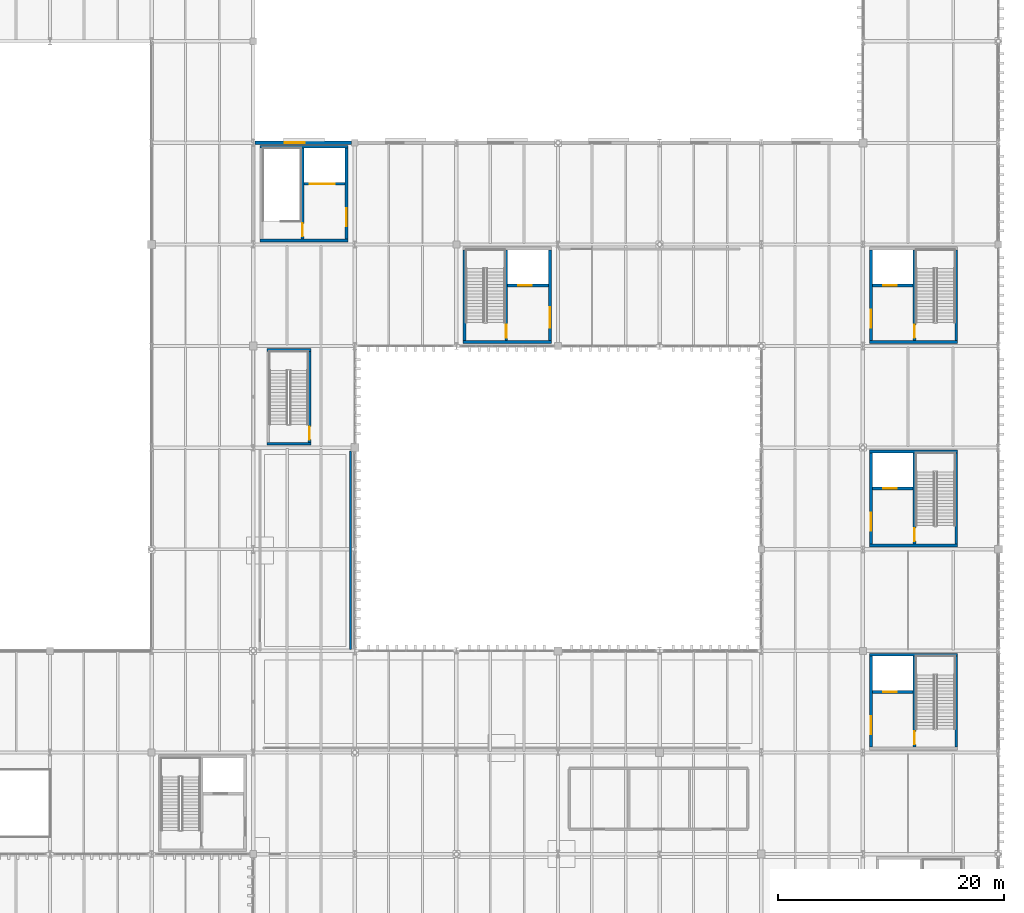
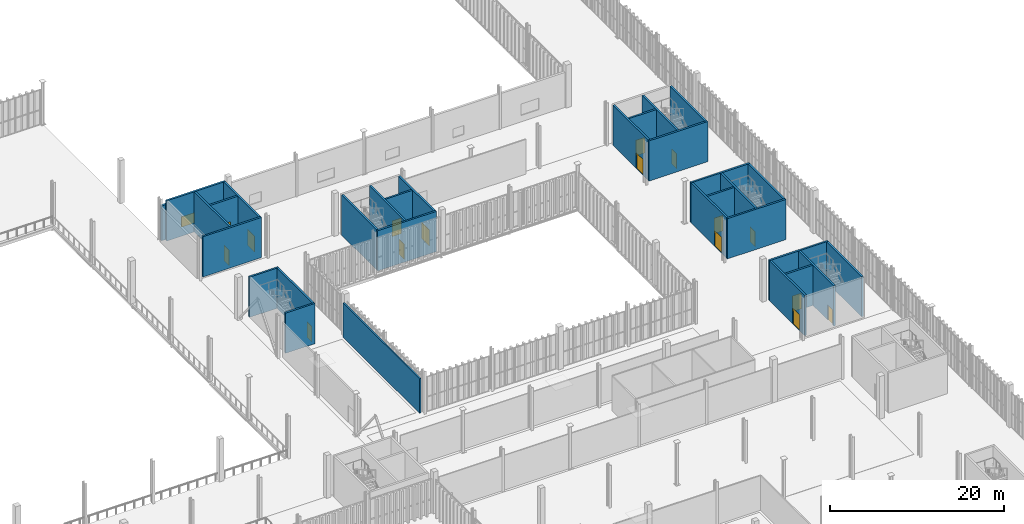
# One storey, part 181 of 211: 31 walls, 16 doors, 1 window, 17 openings.
"""IFC4 building model written with IfcOpenShell, lengths in metres."""

import ifcopenshell
import ifcopenshell.guid

model = None  # the IFC model being written
_history = None  # IfcOwnerHistory: only IFC2X3 demands one
_inside = {}  # id of a spatial element -> (the spatial element, [elements in it])
_under = {}  # id of a project, library or spatial element -> (it, [spatial elements below it])
_declared = {}  # id of a project -> (the project, [libraries it declares])
_typed = {}  # id of a type object -> (the type object, [elements of that type])
_made_of = {}  # id of a material, layer set ... -> (it, [elements and type objects made of it])


def new_model(schema):
    """Start an empty IFC model of exactly this schema.

    Asked for "IFC4X3", IfcOpenShell would pick the latest addendum, in which some entities
    have other attributes; the version numbers below select the first issue.
    IFC2X3 requires an IfcOwnerHistory on every rooted entity: one is made here for all.
    """
    global model, _history
    if schema == "IFC4X3":
        model = ifcopenshell.file(schema_version=(4, 3, 0, 0))
    else:
        model = ifcopenshell.file(schema=schema)
    _inside.clear()
    _under.clear()
    _declared.clear()
    _typed.clear()
    _made_of.clear()
    _history = None
    if model.schema == "IFC2X3":
        org = make("IfcOrganization", Name="unknown")
        user = make(
            "IfcPersonAndOrganization",
            ThePerson=make("IfcPerson", FamilyName="unknown"),
            TheOrganization=org,
        )
        app = make(
            "IfcApplication",
            ApplicationDeveloper=org,
            Version="unknown",
            ApplicationFullName="unknown",
            ApplicationIdentifier="unknown",
        )
        _history = make(
            "IfcOwnerHistory",
            OwningUser=user,
            OwningApplication=app,
            ChangeAction="ADDED",
            CreationDate=0,
        )
    return model


def make(cls, **values):
    """One entity of the class cls with the attributes given. An attribute that is None is left unset."""
    return model.create_entity(
        cls, **{name: value for name, value in values.items() if value is not None}
    )


def rooted(cls, **values):
    """An entity with a GlobalId (a new one), such as an element, a storey or a relation."""
    return make(cls, GlobalId=ifcopenshell.guid.new(), OwnerHistory=_history, **values)


def si_unit(unit_type, name, prefix=None):
    """IfcSIUnit, for example si_unit("LENGTHUNIT", "METRE", prefix="MILLI")."""
    return make("IfcSIUnit", UnitType=unit_type, Prefix=prefix, Name=name)


def assignment(units):
    """IfcUnitAssignment: the units of a project."""
    return None if units is None else make("IfcUnitAssignment", Units=units)


def point(xyz):
    """IfcCartesianPoint."""
    return None if xyz is None else make("IfcCartesianPoint", Coordinates=xyz)


def direction(xyz):
    """IfcDirection."""
    return None if xyz is None else make("IfcDirection", DirectionRatios=xyz)


def frame(location, z_axis=None, x_axis=None):
    """IfcAxis2Placement3D, a coordinate frame: its origin and axes. An axis left out is left unset."""
    return make(
        "IfcAxis2Placement3D",
        Location=point(location),
        Axis=direction(z_axis),
        RefDirection=direction(x_axis),
    )


def frame_2d(location, x_axis=None):
    """IfcAxis2Placement2D, a coordinate frame in the plane: its origin and x axis."""
    return make(
        "IfcAxis2Placement2D", Location=point(location), RefDirection=direction(x_axis)
    )


def origin():
    """The frame at (0, 0, 0) with its axes left unset."""
    return frame((0.0, 0.0, 0.0))


def place(relative_to, where):
    """IfcLocalPlacement: puts the frame where relative to a parent placement (None: the world)."""
    return make(
        "IfcLocalPlacement", PlacementRelTo=relative_to, RelativePlacement=where
    )


def context(
    kind, dimensions, precision=None, world=None, true_north=None, identifier=None
):
    """IfcGeometricRepresentationContext, for example the 3D "Model" context."""
    return make(
        "IfcGeometricRepresentationContext",
        ContextIdentifier=identifier,
        ContextType=kind,
        CoordinateSpaceDimension=dimensions,
        Precision=precision,
        WorldCoordinateSystem=world,
        TrueNorth=true_north,
    )


def subcontext(parent, identifier, kind, view, scale=None):
    """IfcGeometricRepresentationSubContext, for example "Body" below "Model"."""
    return make(
        "IfcGeometricRepresentationSubContext",
        ContextIdentifier=identifier,
        ContextType=kind,
        ParentContext=parent,
        TargetScale=scale,
        TargetView=view,
    )


def project(units=None, contexts=None):
    """IfcProject with its units and contexts."""
    return rooted(
        "IfcProject",
        Name="project",
        RepresentationContexts=contexts,
        UnitsInContext=assignment(units),
    )


def spatial(cls, under=None, at=None, **own):
    """A site, building, storey or space (cls), placed at a placement, below another one or the project."""
    s = rooted(cls, ObjectPlacement=at, **own)
    if under is not None:
        _under.setdefault(under.id(), (under, []))[1].append(s)
    return s


def profile(cls, at=None, kind="AREA", **sizes):
    """A parametric profile (cls). Its sizes go by their IFC names, for example OverallWidth=200.0."""
    return make(cls, ProfileType=kind, Position=at, **sizes)


def rectangle(**sizes):
    """IfcRectangleProfileDef."""
    return profile("IfcRectangleProfileDef", **sizes)


def extrude(swept, where, along, depth):
    """IfcExtrudedAreaSolid: the profile swept, set in the frame where, extruded along a direction by depth."""
    return make(
        "IfcExtrudedAreaSolid",
        SweptArea=swept,
        Position=where,
        ExtrudedDirection=direction(along),
        Depth=depth,
    )


def shape(context_of_items, identifier, shape_type, items):
    """IfcShapeRepresentation: the items that make up one representation, for example the "Body"."""
    return make(
        "IfcShapeRepresentation",
        ContextOfItems=context_of_items,
        RepresentationIdentifier=identifier,
        RepresentationType=shape_type,
        Items=items,
    )


def material(Name=None, Category=None):
    """IfcMaterial."""
    return make("IfcMaterial", Name=Name, Category=Category)


def layer(
    of_material, thickness, ventilated=None, Name=None, Category=None, Priority=None
):
    """IfcMaterialLayer: one layer of a wall or slab, of a material (None: an air gap)."""
    return make(
        "IfcMaterialLayer",
        Material=of_material,
        LayerThickness=thickness,
        IsVentilated=ventilated,
        Name=Name,
        Category=Category,
        Priority=Priority,
    )


def layer_set(layers, Name=None):
    """IfcMaterialLayerSet."""
    return make("IfcMaterialLayerSet", MaterialLayers=layers, LayerSetName=Name)


def made_of(thing, what):
    """Note that an element or type object is made of a material, layer set ...; save() writes the relation."""
    if what is not None:
        _made_of.setdefault(what.id(), (what, []))[1].append(thing)
    return thing


def type_object(cls, material=None, **own):
    """A type object (cls), such as IfcWallType, which elements share."""
    return made_of(rooted(cls, **own), material)


def element(
    cls,
    number,
    at=None,
    inside=None,
    cuts=None,
    type_object=None,
    material=None,
    context=None,
    identifier="Body",
    shape_type=None,
    held_by="IfcProductDefinitionShape",
    body=None,
    shapes=None,
    **own,
):
    """One element of the class cls, such as IfcWall. Its Tag is "e" and its number.

    at: its placement. inside: the storey or other place that contains it. cuts: it is an
    opening in that element (IfcRelVoidsElement). A single representation is given by context,
    identifier, shape_type and body (its items); several are given by shapes. held_by: the class
    of the entity that holds the representations. save() writes the other relations.
    """
    e = rooted(cls, Tag="e%d" % number, ObjectPlacement=at, **own)
    if body is not None:
        shapes = [shape(context, identifier, shape_type, body)]
    if shapes is not None:
        e.Representation = make(held_by, Representations=shapes)
    if inside is not None:
        _inside.setdefault(inside.id(), (inside, []))[1].append(e)
    if cuts is not None:
        rooted(
            "IfcRelVoidsElement", RelatingBuildingElement=cuts, RelatedOpeningElement=e
        )
    if type_object is not None:
        _typed.setdefault(type_object.id(), (type_object, []))[1].append(e)
    return made_of(e, material)


def fill(opening, filler):
    """IfcRelFillsElement: the door or window that sits in an opening."""
    return rooted(
        "IfcRelFillsElement",
        RelatingOpeningElement=opening,
        RelatedBuildingElement=filler,
    )


def aggregate(whole, parts):
    """IfcRelAggregates: a whole, such as a stair, and the parts it consists of."""
    return rooted("IfcRelAggregates", RelatingObject=whole, RelatedObjects=parts)


def save(model, path):
    """Write the relations noted so far, then the file.

    IfcRelAggregates (storeys below a building ...), IfcRelContainedInSpatialStructure (elements
    in a storey), IfcRelDefinesByType, IfcRelAssociatesMaterial and IfcRelDeclares: one each for
    every whole, place, type object, material and project.
    """
    for whole, parts in _under.values():
        aggregate(whole, parts)
    for where, things in _inside.values():
        rooted(
            "IfcRelContainedInSpatialStructure",
            RelatedElements=things,
            RelatingStructure=where,
        )
    for kind, things in _typed.values():
        rooted("IfcRelDefinesByType", RelatedObjects=things, RelatingType=kind)
    for what, things in _made_of.values():
        rooted("IfcRelAssociatesMaterial", RelatedObjects=things, RelatingMaterial=what)
    for by, libraries in _declared.values():
        rooted("IfcRelDeclares", RelatingContext=by, RelatedDefinitions=libraries)
    model.write(path)


model = new_model("IFC4")

# Units and contexts
model_context = context("Model", 3, precision=1e-05, world=origin(), true_north=direction((0.0, 1.0)))
body_context = subcontext(model_context, "Body", "Model", "MODEL_VIEW")
ifc_project = project(units=[si_unit("LENGTHUNIT", "METRE"), si_unit("AREAUNIT", "SQUARE_METRE"), si_unit("VOLUMEUNIT", "CUBIC_METRE"), si_unit("PLANEANGLEUNIT", "RADIAN"), si_unit("MASSUNIT", "GRAM", prefix="KILO")], contexts=[model_context])

# Site, building, storey
site_placement = place(None, origin())
site = spatial("IfcSite", under=ifc_project, at=site_placement, CompositionType="ELEMENT")
building_placement = place(site_placement, origin())
building = spatial("IfcBuilding", under=site, at=building_placement, Name="Barlavento Convention Centre", CompositionType="ELEMENT")
storey_placement = place(building_placement, frame((0.0, 0.0, 6.0)))
storey = spatial("IfcBuildingStorey", under=building, at=storey_placement, Name="L01", CompositionType="ELEMENT", Elevation=6.0)

# Wall
ifc_material_1 = material(Name="Acoustic double stud and gypsum board")
ifc_layer_1 = layer(ifc_material_1, 0.18505859375)
ifc_layer_set_1 = layer_set([ifc_layer_1], Name="ARC-WL-ACOU-185")
wall_type_1 = type_object("IfcWallType", Name="ARC-WL-ACOU-185", PredefinedType="PARTITIONING", material=ifc_layer_set_1)
wall_1_placement = place(storey_placement, frame((134.60009765625, 63.111083984375, 0.0), z_axis=(0.0, 0.0, 1.0), x_axis=(0.0, 1.0, 0.0)))
element("IfcWall", 1, at=wall_1_placement, inside=storey, type_object=wall_type_1, Name="L01 interior wall PT-01", PredefinedType="PARTITIONING", context=body_context, shape_type="SweptSolid", body=[
    extrude(rectangle(XDim=17.577880859375, YDim=0.18505859375, at=frame_2d((8.7890625, 0.0))), origin(), (0.0, 0.0, 1.0), 4.85009765625),
])

# Wall, opening, window
ifc_material_2 = material(Name="Glazed white architectural terracotta on Concrete C40/50", Category="masonry")
ifc_layer_2 = layer(ifc_material_2, 0.2900390625)
ifc_layer_set_2 = layer_set([ifc_layer_2], Name="ARC-WL-EXT-290")
wall_type_2 = type_object("IfcWallType", Name="ARC-WL-EXT-290", PredefinedType="SOLIDWALL", material=ifc_layer_set_2)
wall_2_placement = place(storey_placement, frame((126.14501953125, 108.0, 0.0), z_axis=(0.0, 0.0, 1.0), x_axis=(1.0, 0.0, 0.0)))
wall_2 = element("IfcWall", 2, at=wall_2_placement, inside=storey, type_object=wall_type_2, Name="L01 exterior wall EW02", PredefinedType="SOLIDWALL", context=body_context, shape_type="SweptSolid", body=[
    extrude(rectangle(XDim=8.56005859375, YDim=0.2900390625, at=frame_2d((4.280029296875, 0.0))), origin(), (0.0, 0.0, 1.0), 4.89990234375),
])
opening_1_placement = place(wall_2_placement, frame((2.655029296875, 0.0, 0.89990234375)))
opening_1 = element("IfcOpeningElement", 3, at=opening_1_placement, cuts=wall_2, Name="Opening WN21", PredefinedType="OPENING", context=body_context, shape_type="SweptSolid", body=[
    extrude(rectangle(XDim=1.75, YDim=1.449951171875, at=frame_2d((0.875, 0.72509765625))), frame((0.0, 0.155029296875, 0.0), z_axis=(0.0, -1.0, 0.0), x_axis=(1.0, 0.0, 0.0)), (0.0, 0.0, 1.0), 0.31005859375),
])
ifc_material_3 = material(Name="Double-silver Low-E insulated glass", Category="glass")
window_type = type_object("IfcWindowType", Name="ARC-WN-CONF-1750X1450", PartitioningType="SINGLE_PANEL", PredefinedType="WINDOW", material=ifc_material_3)
window_placement = place(opening_1_placement, origin())
window = element("IfcWindow", 4, at=window_placement, inside=storey, type_object=window_type, Name="L01 exterior Low-E window WN21", OverallHeight=1.449951171875, OverallWidth=1.75, PartitioningType="SINGLE_PANEL", PredefinedType="WINDOW", context=body_context, shape_type="SweptSolid", body=[
    extrude(rectangle(XDim=1.75, YDim=1.449951171875, at=frame_2d((0.875, 0.72509765625))), frame((0.0, 0.030029296875, 0.0), z_axis=(0.0, -1.0, 0.0), x_axis=(1.0, 0.0, 0.0)), (0.0, 0.0, 1.0), 0.06005859375),
])
fill(opening_1, window)

# Wall, opening, door
ifc_material_4 = material(Name="Concrete C50/60", Category="concrete")
ifc_layer_3 = layer(ifc_material_4, 0.25)
ifc_layer_set_3 = layer_set([ifc_layer_3], Name="STR-WL-CORE-250")
wall_type_3 = type_object("IfcWallType", Name="STR-WL-CORE-250", PredefinedType="SHEAR", material=ifc_layer_set_3)
wall_3_placement = place(storey_placement, frame((180.72509765625, 54.469970703125, 0.0), z_axis=(0.0, 0.0, 1.0), x_axis=(0.0, 1.0, 0.0)))
wall_3 = element("IfcWall", 5, at=wall_3_placement, inside=storey, type_object=wall_type_3, Name="L01 interior wall CW-02", PredefinedType="SHEAR", context=body_context, shape_type="SweptSolid", body=[
    extrude(rectangle(XDim=8.06005859375, YDim=0.25, at=frame_2d((4.030029296875, 0.0))), origin(), (0.0, 0.0, 1.0), 5.639892578125),
])
opening_2_placement = place(wall_3_placement, frame((1.14990234375, 0.0, 0.0)))
opening_2 = element("IfcOpeningElement", 6, at=opening_2_placement, cuts=wall_3, Name="Opening FD-02", PredefinedType="OPENING", context=body_context, shape_type="SweptSolid", body=[
    extrude(rectangle(XDim=1.60009765625, YDim=2.199951171875, at=frame_2d((0.800048828125, 1.10009765625))), frame((0.0, 0.135009765625, 0.0), z_axis=(0.0, -1.0, 0.0), x_axis=(1.0, 0.0, 0.0)), (0.0, 0.0, 1.0), 0.27001953125),
])
ifc_material_5 = material(Name="Painted galvanized steel", Category="steel")
door_type_1 = type_object("IfcDoorType", Name="ARC-DR-FIRE-1600X2200", OperationType="DOUBLE_DOOR_SINGLE_SWING", PredefinedType="DOOR", material=ifc_material_5)
door_1_placement = place(opening_2_placement, origin())
door_1 = element("IfcDoor", 7, at=door_1_placement, inside=storey, type_object=door_type_1, Name="DR-INT-L01-0063 L01 LP4 lobby fire door", OperationType="DOUBLE_DOOR_SINGLE_SWING", OverallHeight=2.199951171875, OverallWidth=1.60009765625, PredefinedType="DOOR", context=body_context, shape_type="SweptSolid", body=[
    extrude(rectangle(XDim=1.60009765625, YDim=2.199951171875, at=frame_2d((0.800048828125, 1.10009765625))), frame((0.0, 0.02490234375, 0.0), z_axis=(0.0, -1.0, 0.0), x_axis=(1.0, 0.0, 0.0)), (0.0, 0.0, 1.0), 0.050048828125),
])
fill(opening_2, door_1)

# Walls
wall_4_placement = place(storey_placement, frame((188.27490234375, 54.469970703125, 0.0), z_axis=(0.0, 0.0, 1.0), x_axis=(0.0, 1.0, 0.0)))
element("IfcWall", 8, at=wall_4_placement, inside=storey, type_object=wall_type_3, Name="L01 interior wall CW-02", PredefinedType="SHEAR", context=body_context, shape_type="SweptSolid", body=[
    extrude(rectangle(XDim=8.06005859375, YDim=0.25, at=frame_2d((4.030029296875, 0.0))), origin(), (0.0, 0.0, 1.0), 5.639892578125),
])
wall_5_placement = place(storey_placement, frame((180.60009765625, 62.655029296875, 0.0), z_axis=(0.0, 0.0, 1.0), x_axis=(1.0, 0.0, 0.0)))
element("IfcWall", 9, at=wall_5_placement, inside=storey, type_object=wall_type_3, Name="L01 interior wall CW-02", PredefinedType="SHEAR", context=body_context, shape_type="SweptSolid", body=[
    extrude(rectangle(XDim=7.7998046875, YDim=0.25, at=frame_2d((3.89990234375, 0.0))), origin(), (0.0, 0.0, 1.0), 5.639892578125),
])

# Wall, opening, door
wall_6_placement = place(storey_placement, frame((184.5849609375, 54.469970703125, 0.0), z_axis=(0.0, 0.0, 1.0), x_axis=(0.0, 1.0, 0.0)))
wall_6 = element("IfcWall", 10, at=wall_6_placement, inside=storey, type_object=wall_type_3, Name="L01 interior wall CW-02", PredefinedType="SHEAR", context=body_context, shape_type="SweptSolid", body=[
    extrude(rectangle(XDim=8.06005859375, YDim=0.25, at=frame_2d((4.030029296875, 0.0))), origin(), (0.0, 0.0, 1.0), 5.639892578125),
])
opening_3_placement = place(wall_6_placement, frame((0.25, 0.0, 0.0)))
opening_3 = element("IfcOpeningElement", 11, at=opening_3_placement, cuts=wall_6, Name="Opening FD-03", PredefinedType="OPENING", context=body_context, shape_type="SweptSolid", body=[
    extrude(rectangle(XDim=1.14990234375, YDim=2.14990234375, at=frame_2d((0.574951171875, 1.074951171875))), frame((0.0, 0.135009765625, 0.0), z_axis=(0.0, -1.0, 0.0), x_axis=(1.0, 0.0, 0.0)), (0.0, 0.0, 1.0), 0.27001953125),
])
door_type_2 = type_object("IfcDoorType", Name="ARC-DR-FIRE-1150X2150", OperationType="NOTDEFINED", PredefinedType="DOOR", material=ifc_material_5)
door_2_placement = place(opening_3_placement, origin())
door_2 = element("IfcDoor", 12, at=door_2_placement, inside=storey, type_object=door_type_2, Name="DR-INT-L01-0061 L01 ST05 stair fire door FD-03", OperationType="SINGLE_SWING_LEFT", OverallHeight=2.14990234375, OverallWidth=1.14990234375, PredefinedType="DOOR", context=body_context, shape_type="SweptSolid", body=[
    extrude(rectangle(XDim=1.14990234375, YDim=2.14990234375, at=frame_2d((0.574951171875, 1.074951171875))), frame((0.0, 0.02490234375, 0.0), z_axis=(0.0, -1.0, 0.0), x_axis=(1.0, 0.0, 0.0)), (0.0, 0.0, 1.0), 0.050048828125),
])
fill(opening_3, door_2)

wall_7_placement = place(storey_placement, frame((180.85009765625, 59.3701171875, 0.0), z_axis=(0.0, 0.0, 1.0), x_axis=(1.0, 0.0, 0.0)))
wall_7 = element("IfcWall", 13, at=wall_7_placement, inside=storey, type_object=wall_type_3, Name="L01 interior wall CW-02", PredefinedType="SHEAR", context=body_context, shape_type="SweptSolid", body=[
    extrude(rectangle(XDim=3.60986328125, YDim=0.25, at=frame_2d((1.804931640625, 0.0))), origin(), (0.0, 0.0, 1.0), 5.639892578125),
])
opening_4_placement = place(wall_7_placement, frame((0.949951171875, 0.0, 0.0)))
opening_4 = element("IfcOpeningElement", 14, at=opening_4_placement, cuts=wall_7, Name="Opening LD-01", PredefinedType="OPENING", context=body_context, shape_type="SweptSolid", body=[
    extrude(rectangle(XDim=1.199951171875, YDim=2.199951171875, at=frame_2d((0.60009765625, 1.10009765625))), frame((0.0, 0.135009765625, 0.0), z_axis=(0.0, -1.0, 0.0), x_axis=(1.0, 0.0, 0.0)), (0.0, 0.0, 1.0), 0.27001953125),
])
ifc_material_6 = material(Name="Brushed stainless steel", Category="steel")
door_type_3 = type_object("IfcDoorType", Name="ARC-DR-LIFT-1200X2200", OperationType="DOUBLE_DOOR_SLIDING", PredefinedType="DOOR", material=ifc_material_6)
door_3_placement = place(opening_4_placement, origin())
door_3 = element("IfcDoor", 15, at=door_3_placement, inside=storey, type_object=door_type_3, Name="DR-INT-L01-0062 LP4 lift sliding landing door", OperationType="DOUBLE_DOOR_SLIDING", OverallHeight=2.199951171875, OverallWidth=1.199951171875, PredefinedType="DOOR", context=body_context, shape_type="SweptSolid", body=[
    extrude(rectangle(XDim=1.199951171875, YDim=2.199951171875, at=frame_2d((0.60009765625, 1.10009765625))), frame((0.0, 0.02490234375, 0.0), z_axis=(0.0, -1.0, 0.0), x_axis=(1.0, 0.0, 0.0)), (0.0, 0.0, 1.0), 0.050048828125),
])
fill(opening_4, door_3)

wall_8_placement = place(storey_placement, frame((180.72509765625, 72.469970703125, 0.0), z_axis=(0.0, 0.0, 1.0), x_axis=(0.0, 1.0, 0.0)))
wall_8 = element("IfcWall", 16, at=wall_8_placement, inside=storey, type_object=wall_type_3, Name="L01 interior wall CW-02", PredefinedType="SHEAR", context=body_context, shape_type="SweptSolid", body=[
    extrude(rectangle(XDim=8.06005859375, YDim=0.25, at=frame_2d((4.030029296875, 0.0))), origin(), (0.0, 0.0, 1.0), 5.639892578125),
])
opening_5_placement = place(wall_8_placement, frame((1.14990234375, 0.0, 0.0)))
opening_5 = element("IfcOpeningElement", 17, at=opening_5_placement, cuts=wall_8, Name="Opening FD-02", PredefinedType="OPENING", context=body_context, shape_type="SweptSolid", body=[
    extrude(rectangle(XDim=1.60009765625, YDim=2.199951171875, at=frame_2d((0.800048828125, 1.10009765625))), frame((0.0, 0.135009765625, 0.0), z_axis=(0.0, -1.0, 0.0), x_axis=(1.0, 0.0, 0.0)), (0.0, 0.0, 1.0), 0.27001953125),
])
door_4_placement = place(opening_5_placement, origin())
door_4 = element("IfcDoor", 18, at=door_4_placement, inside=storey, type_object=door_type_1, Name="DR-INT-L01-0105 L01 LP5 lobby fire door", OperationType="DOUBLE_DOOR_SINGLE_SWING", OverallHeight=2.199951171875, OverallWidth=1.60009765625, PredefinedType="DOOR", context=body_context, shape_type="SweptSolid", body=[
    extrude(rectangle(XDim=1.60009765625, YDim=2.199951171875, at=frame_2d((0.800048828125, 1.10009765625))), frame((0.0, 0.02490234375, 0.0), z_axis=(0.0, -1.0, 0.0), x_axis=(1.0, 0.0, 0.0)), (0.0, 0.0, 1.0), 0.050048828125),
])
fill(opening_5, door_4)

# Walls
wall_9_placement = place(storey_placement, frame((188.27490234375, 72.469970703125, 0.0), z_axis=(0.0, 0.0, 1.0), x_axis=(0.0, 1.0, 0.0)))
element("IfcWall", 19, at=wall_9_placement, inside=storey, type_object=wall_type_3, Name="L01 interior wall CW-02", PredefinedType="SHEAR", context=body_context, shape_type="SweptSolid", body=[
    extrude(rectangle(XDim=8.06005859375, YDim=0.25, at=frame_2d((4.030029296875, 0.0))), origin(), (0.0, 0.0, 1.0), 5.639892578125),
])
for number, where, z_axis, x_axis, name in (
    (20, (180.60009765625, 72.344970703125, 0.0), (0.0, 0.0, 1.0), (1.0, 0.0, 0.0), "L01 interior wall CW-02"),
    (21, (180.60009765625, 80.655029296875, 0.0), (0.0, 0.0, 1.0), (1.0, 0.0, 0.0), "L01 interior wall CW-02"),
):
    element("IfcWall", number, at=place(storey_placement, frame(where, z_axis=z_axis, x_axis=x_axis)), inside=storey, type_object=wall_type_3, Name=name, PredefinedType="SHEAR", context=body_context, shape_type="SweptSolid", body=[
        extrude(rectangle(XDim=7.7998046875, YDim=0.25, at=frame_2d((3.89990234375, 0.0))), origin(), (0.0, 0.0, 1.0), 5.639892578125),
    ])

# Wall, opening, door
wall_10_placement = place(storey_placement, frame((184.5849609375, 72.469970703125, 0.0), z_axis=(0.0, 0.0, 1.0), x_axis=(0.0, 1.0, 0.0)))
wall_10 = element("IfcWall", 22, at=wall_10_placement, inside=storey, type_object=wall_type_3, Name="L01 interior wall CW-02", PredefinedType="SHEAR", context=body_context, shape_type="SweptSolid", body=[
    extrude(rectangle(XDim=8.06005859375, YDim=0.25, at=frame_2d((4.030029296875, 0.0))), origin(), (0.0, 0.0, 1.0), 5.639892578125),
])
opening_6_placement = place(wall_10_placement, frame((0.25, 0.0, 0.0)))
opening_6 = element("IfcOpeningElement", 23, at=opening_6_placement, cuts=wall_10, Name="Opening FD-03", PredefinedType="OPENING", context=body_context, shape_type="SweptSolid", body=[
    extrude(rectangle(XDim=1.14990234375, YDim=2.14990234375, at=frame_2d((0.574951171875, 1.074951171875))), frame((0.0, 0.135009765625, 0.0), z_axis=(0.0, -1.0, 0.0), x_axis=(1.0, 0.0, 0.0)), (0.0, 0.0, 1.0), 0.27001953125),
])
door_5_placement = place(opening_6_placement, origin())
door_5 = element("IfcDoor", 24, at=door_5_placement, inside=storey, type_object=door_type_2, Name="DR-INT-L01-0103 L01 ST07 stair fire door FD-03", OperationType="SINGLE_SWING_LEFT", OverallHeight=2.14990234375, OverallWidth=1.14990234375, PredefinedType="DOOR", context=body_context, shape_type="SweptSolid", body=[
    extrude(rectangle(XDim=1.14990234375, YDim=2.14990234375, at=frame_2d((0.574951171875, 1.074951171875))), frame((0.0, 0.02490234375, 0.0), z_axis=(0.0, -1.0, 0.0), x_axis=(1.0, 0.0, 0.0)), (0.0, 0.0, 1.0), 0.050048828125),
])
fill(opening_6, door_5)

wall_11_placement = place(storey_placement, frame((180.85009765625, 77.3701171875, 0.0), z_axis=(0.0, 0.0, 1.0), x_axis=(1.0, 0.0, 0.0)))
wall_11 = element("IfcWall", 25, at=wall_11_placement, inside=storey, type_object=wall_type_3, Name="L01 interior wall CW-02", PredefinedType="SHEAR", context=body_context, shape_type="SweptSolid", body=[
    extrude(rectangle(XDim=3.60986328125, YDim=0.25, at=frame_2d((1.804931640625, 0.0))), origin(), (0.0, 0.0, 1.0), 5.639892578125),
])
opening_7_placement = place(wall_11_placement, frame((0.949951171875, 0.0, 0.0)))
opening_7 = element("IfcOpeningElement", 26, at=opening_7_placement, cuts=wall_11, Name="Opening LD-01", PredefinedType="OPENING", context=body_context, shape_type="SweptSolid", body=[
    extrude(rectangle(XDim=1.199951171875, YDim=2.199951171875, at=frame_2d((0.60009765625, 1.10009765625))), frame((0.0, 0.135009765625, 0.0), z_axis=(0.0, -1.0, 0.0), x_axis=(1.0, 0.0, 0.0)), (0.0, 0.0, 1.0), 0.27001953125),
])
door_6_placement = place(opening_7_placement, origin())
door_6 = element("IfcDoor", 27, at=door_6_placement, inside=storey, type_object=door_type_3, Name="DR-INT-L01-0104 LP5 lift sliding landing door", OperationType="DOUBLE_DOOR_SLIDING", OverallHeight=2.199951171875, OverallWidth=1.199951171875, PredefinedType="DOOR", context=body_context, shape_type="SweptSolid", body=[
    extrude(rectangle(XDim=1.199951171875, YDim=2.199951171875, at=frame_2d((0.60009765625, 1.10009765625))), frame((0.0, 0.02490234375, 0.0), z_axis=(0.0, -1.0, 0.0), x_axis=(1.0, 0.0, 0.0)), (0.0, 0.0, 1.0), 0.050048828125),
])
fill(opening_7, door_6)

wall_12_placement = place(storey_placement, frame((180.72509765625, 90.469970703125, 0.0), z_axis=(0.0, 0.0, 1.0), x_axis=(0.0, 1.0, 0.0)))
wall_12 = element("IfcWall", 28, at=wall_12_placement, inside=storey, type_object=wall_type_3, Name="L01 interior wall CW-02", PredefinedType="SHEAR", context=body_context, shape_type="SweptSolid", body=[
    extrude(rectangle(XDim=8.06005859375, YDim=0.25, at=frame_2d((4.030029296875, 0.0))), origin(), (0.0, 0.0, 1.0), 5.639892578125),
])
opening_8_placement = place(wall_12_placement, frame((1.14990234375, 0.0, 0.0)))
opening_8 = element("IfcOpeningElement", 29, at=opening_8_placement, cuts=wall_12, Name="Opening FD-02", PredefinedType="OPENING", context=body_context, shape_type="SweptSolid", body=[
    extrude(rectangle(XDim=1.60009765625, YDim=2.199951171875, at=frame_2d((0.800048828125, 1.10009765625))), frame((0.0, 0.135009765625, 0.0), z_axis=(0.0, -1.0, 0.0), x_axis=(1.0, 0.0, 0.0)), (0.0, 0.0, 1.0), 0.27001953125),
])
door_7_placement = place(opening_8_placement, origin())
door_7 = element("IfcDoor", 30, at=door_7_placement, inside=storey, type_object=door_type_1, Name="DR-INT-L01-0126 L01 LP6 lobby fire door", OperationType="DOUBLE_DOOR_SINGLE_SWING", OverallHeight=2.199951171875, OverallWidth=1.60009765625, PredefinedType="DOOR", context=body_context, shape_type="SweptSolid", body=[
    extrude(rectangle(XDim=1.60009765625, YDim=2.199951171875, at=frame_2d((0.800048828125, 1.10009765625))), frame((0.0, 0.02490234375, 0.0), z_axis=(0.0, -1.0, 0.0), x_axis=(1.0, 0.0, 0.0)), (0.0, 0.0, 1.0), 0.050048828125),
])
fill(opening_8, door_7)

# Walls
wall_13_placement = place(storey_placement, frame((188.27490234375, 90.469970703125, 0.0), z_axis=(0.0, 0.0, 1.0), x_axis=(0.0, 1.0, 0.0)))
element("IfcWall", 31, at=wall_13_placement, inside=storey, type_object=wall_type_3, Name="L01 interior wall CW-02", PredefinedType="SHEAR", context=body_context, shape_type="SweptSolid", body=[
    extrude(rectangle(XDim=8.06005859375, YDim=0.25, at=frame_2d((4.030029296875, 0.0))), origin(), (0.0, 0.0, 1.0), 5.639892578125),
])
wall_14_placement = place(storey_placement, frame((180.60009765625, 90.344970703125, 0.0), z_axis=(0.0, 0.0, 1.0), x_axis=(1.0, 0.0, 0.0)))
element("IfcWall", 32, at=wall_14_placement, inside=storey, type_object=wall_type_3, Name="L01 interior wall CW-02", PredefinedType="SHEAR", context=body_context, shape_type="SweptSolid", body=[
    extrude(rectangle(XDim=7.7998046875, YDim=0.25, at=frame_2d((3.89990234375, 0.0))), origin(), (0.0, 0.0, 1.0), 5.639892578125),
])

# Wall, opening, door
wall_15_placement = place(storey_placement, frame((184.5849609375, 90.469970703125, 0.0), z_axis=(0.0, 0.0, 1.0), x_axis=(0.0, 1.0, 0.0)))
wall_15 = element("IfcWall", 33, at=wall_15_placement, inside=storey, type_object=wall_type_3, Name="L01 interior wall CW-02", PredefinedType="SHEAR", context=body_context, shape_type="SweptSolid", body=[
    extrude(rectangle(XDim=8.06005859375, YDim=0.25, at=frame_2d((4.030029296875, 0.0))), origin(), (0.0, 0.0, 1.0), 5.639892578125),
])
opening_9_placement = place(wall_15_placement, frame((0.25, 0.0, 0.0)))
opening_9 = element("IfcOpeningElement", 34, at=opening_9_placement, cuts=wall_15, Name="Opening FD-03", PredefinedType="OPENING", context=body_context, shape_type="SweptSolid", body=[
    extrude(rectangle(XDim=1.14990234375, YDim=2.14990234375, at=frame_2d((0.574951171875, 1.074951171875))), frame((0.0, 0.135009765625, 0.0), z_axis=(0.0, -1.0, 0.0), x_axis=(1.0, 0.0, 0.0)), (0.0, 0.0, 1.0), 0.27001953125),
])
door_8_placement = place(opening_9_placement, origin())
door_8 = element("IfcDoor", 35, at=door_8_placement, inside=storey, type_object=door_type_2, Name="DR-INT-L01-0124 L01 ST08 stair fire door FD-03", OperationType="SINGLE_SWING_RIGHT", OverallHeight=2.14990234375, OverallWidth=1.14990234375, PredefinedType="DOOR", context=body_context, shape_type="SweptSolid", body=[
    extrude(rectangle(XDim=1.14990234375, YDim=2.14990234375, at=frame_2d((0.574951171875, 1.074951171875))), frame((0.0, 0.02490234375, 0.0), z_axis=(0.0, -1.0, 0.0), x_axis=(1.0, 0.0, 0.0)), (0.0, 0.0, 1.0), 0.050048828125),
])
fill(opening_9, door_8)

wall_16_placement = place(storey_placement, frame((180.85009765625, 95.3701171875, 0.0), z_axis=(0.0, 0.0, 1.0), x_axis=(1.0, 0.0, 0.0)))
wall_16 = element("IfcWall", 36, at=wall_16_placement, inside=storey, type_object=wall_type_3, Name="L01 interior wall CW-02", PredefinedType="SHEAR", context=body_context, shape_type="SweptSolid", body=[
    extrude(rectangle(XDim=3.60986328125, YDim=0.25, at=frame_2d((1.804931640625, 0.0))), origin(), (0.0, 0.0, 1.0), 5.639892578125),
])
opening_10_placement = place(wall_16_placement, frame((0.949951171875, 0.0, 0.0)))
opening_10 = element("IfcOpeningElement", 37, at=opening_10_placement, cuts=wall_16, Name="Opening LD-01", PredefinedType="OPENING", context=body_context, shape_type="SweptSolid", body=[
    extrude(rectangle(XDim=1.199951171875, YDim=2.199951171875, at=frame_2d((0.60009765625, 1.10009765625))), frame((0.0, 0.135009765625, 0.0), z_axis=(0.0, -1.0, 0.0), x_axis=(1.0, 0.0, 0.0)), (0.0, 0.0, 1.0), 0.27001953125),
])
door_9_placement = place(opening_10_placement, origin())
door_9 = element("IfcDoor", 38, at=door_9_placement, inside=storey, type_object=door_type_3, Name="DR-INT-L01-0125 LP6 lift sliding landing door", OperationType="DOUBLE_DOOR_SLIDING", OverallHeight=2.199951171875, OverallWidth=1.199951171875, PredefinedType="DOOR", context=body_context, shape_type="SweptSolid", body=[
    extrude(rectangle(XDim=1.199951171875, YDim=2.199951171875, at=frame_2d((0.60009765625, 1.10009765625))), frame((0.0, 0.02490234375, 0.0), z_axis=(0.0, -1.0, 0.0), x_axis=(1.0, 0.0, 0.0)), (0.0, 0.0, 1.0), 0.050048828125),
])
fill(opening_10, door_9)

# Wall
wall_17_placement = place(storey_placement, frame((144.72509765625, 90.469970703125, 0.0), z_axis=(0.0, 0.0, 1.0), x_axis=(0.0, 1.0, 0.0)))
element("IfcWall", 39, at=wall_17_placement, inside=storey, type_object=wall_type_3, Name="L01 interior wall CW-02", PredefinedType="SHEAR", context=body_context, shape_type="SweptSolid", body=[
    extrude(rectangle(XDim=8.06005859375, YDim=0.25, at=frame_2d((4.030029296875, 0.0))), origin(), (0.0, 0.0, 1.0), 5.639892578125),
])

# Wall, opening, door
wall_18_placement = place(storey_placement, frame((152.27490234375, 90.469970703125, 0.0), z_axis=(0.0, 0.0, 1.0), x_axis=(0.0, 1.0, 0.0)))
wall_18 = element("IfcWall", 40, at=wall_18_placement, inside=storey, type_object=wall_type_3, Name="L01 interior wall CW-02", PredefinedType="SHEAR", context=body_context, shape_type="SweptSolid", body=[
    extrude(rectangle(XDim=8.06005859375, YDim=0.25, at=frame_2d((4.030029296875, 0.0))), origin(), (0.0, 0.0, 1.0), 5.639892578125),
])
opening_11_placement = place(wall_18_placement, frame((1.14990234375, 0.0, 0.0)))
opening_11 = element("IfcOpeningElement", 41, at=opening_11_placement, cuts=wall_18, Name="Opening FD-01", PredefinedType="OPENING", context=body_context, shape_type="SweptSolid", body=[
    extrude(rectangle(XDim=1.800048828125, YDim=2.199951171875, at=frame_2d((0.89990234375, 1.10009765625))), frame((0.0, 0.135009765625, 0.0), z_axis=(0.0, -1.0, 0.0), x_axis=(1.0, 0.0, 0.0)), (0.0, 0.0, 1.0), 0.27001953125),
])
door_type_4 = type_object("IfcDoorType", Name="ARC-DR-FIRE-1800X2200", OperationType="DOUBLE_DOOR_SINGLE_SWING", PredefinedType="DOOR", material=ifc_material_5)
door_10_placement = place(opening_11_placement, origin())
door_10 = element("IfcDoor", 42, at=door_10_placement, inside=storey, type_object=door_type_4, Name="DR-INT-L01-0147 L01 FL1 lobby fire door", OperationType="DOUBLE_DOOR_SINGLE_SWING", OverallHeight=2.199951171875, OverallWidth=1.800048828125, PredefinedType="DOOR", context=body_context, shape_type="SweptSolid", body=[
    extrude(rectangle(XDim=1.800048828125, YDim=2.199951171875, at=frame_2d((0.89990234375, 1.10009765625))), frame((0.0, 0.02490234375, 0.0), z_axis=(0.0, -1.0, 0.0), x_axis=(1.0, 0.0, 0.0)), (0.0, 0.0, 1.0), 0.050048828125),
])
fill(opening_11, door_10)

# Wall
wall_19_placement = place(storey_placement, frame((144.60009765625, 90.344970703125, 0.0), z_axis=(0.0, 0.0, 1.0), x_axis=(1.0, 0.0, 0.0)))
element("IfcWall", 43, at=wall_19_placement, inside=storey, type_object=wall_type_3, Name="L01 interior wall CW-02", PredefinedType="SHEAR", context=body_context, shape_type="SweptSolid", body=[
    extrude(rectangle(XDim=7.7998046875, YDim=0.25, at=frame_2d((3.89990234375, 0.0))), origin(), (0.0, 0.0, 1.0), 5.639892578125),
])

# Wall, opening, door
wall_20_placement = place(storey_placement, frame((148.4150390625, 90.469970703125, 0.0), z_axis=(0.0, 0.0, 1.0), x_axis=(0.0, 1.0, 0.0)))
wall_20 = element("IfcWall", 44, at=wall_20_placement, inside=storey, type_object=wall_type_3, Name="L01 interior wall CW-02", PredefinedType="SHEAR", context=body_context, shape_type="SweptSolid", body=[
    extrude(rectangle(XDim=8.06005859375, YDim=0.25, at=frame_2d((4.030029296875, 0.0))), origin(), (0.0, 0.0, 1.0), 5.639892578125),
])
opening_12_placement = place(wall_20_placement, frame((0.25, 0.0, 0.0)))
opening_12 = element("IfcOpeningElement", 45, at=opening_12_placement, cuts=wall_20, Name="Opening FD-03", PredefinedType="OPENING", context=body_context, shape_type="SweptSolid", body=[
    extrude(rectangle(XDim=1.14990234375, YDim=2.14990234375, at=frame_2d((0.574951171875, 1.074951171875))), frame((0.0, 0.135009765625, 0.0), z_axis=(0.0, -1.0, 0.0), x_axis=(1.0, 0.0, 0.0)), (0.0, 0.0, 1.0), 0.27001953125),
])
door_11_placement = place(opening_12_placement, origin())
door_11 = element("IfcDoor", 46, at=door_11_placement, inside=storey, type_object=door_type_2, Name="DR-INT-L01-0145 L01 ST09 stair fire door FD-03", OperationType="SINGLE_SWING_LEFT", OverallHeight=2.14990234375, OverallWidth=1.14990234375, PredefinedType="DOOR", context=body_context, shape_type="SweptSolid", body=[
    extrude(rectangle(XDim=1.14990234375, YDim=2.14990234375, at=frame_2d((0.574951171875, 1.074951171875))), frame((0.0, 0.02490234375, 0.0), z_axis=(0.0, -1.0, 0.0), x_axis=(1.0, 0.0, 0.0)), (0.0, 0.0, 1.0), 0.050048828125),
])
fill(opening_12, door_11)

wall_21_placement = place(storey_placement, frame((148.5400390625, 95.3701171875, 0.0), z_axis=(0.0, 0.0, 1.0), x_axis=(1.0, 0.0, 0.0)))
wall_21 = element("IfcWall", 47, at=wall_21_placement, inside=storey, type_object=wall_type_3, Name="L01 interior wall CW-02", PredefinedType="SHEAR", context=body_context, shape_type="SweptSolid", body=[
    extrude(rectangle(XDim=3.60986328125, YDim=0.25, at=frame_2d((1.804931640625, 0.0))), origin(), (0.0, 0.0, 1.0), 5.639892578125),
])
opening_13_placement = place(wall_21_placement, frame((0.949951171875, 0.0, 0.0)))
opening_13 = element("IfcOpeningElement", 48, at=opening_13_placement, cuts=wall_21, Name="Opening LD-01", PredefinedType="OPENING", context=body_context, shape_type="SweptSolid", body=[
    extrude(rectangle(XDim=1.199951171875, YDim=2.199951171875, at=frame_2d((0.60009765625, 1.10009765625))), frame((0.0, 0.135009765625, 0.0), z_axis=(0.0, -1.0, 0.0), x_axis=(1.0, 0.0, 0.0)), (0.0, 0.0, 1.0), 0.27001953125),
])
door_12_placement = place(opening_13_placement, origin())
door_12 = element("IfcDoor", 49, at=door_12_placement, inside=storey, type_object=door_type_3, Name="DR-INT-L01-0146 FL1 lift sliding landing door", OperationType="DOUBLE_DOOR_SLIDING", OverallHeight=2.199951171875, OverallWidth=1.199951171875, PredefinedType="DOOR", context=body_context, shape_type="SweptSolid", body=[
    extrude(rectangle(XDim=1.199951171875, YDim=2.199951171875, at=frame_2d((0.60009765625, 1.10009765625))), frame((0.0, 0.02490234375, 0.0), z_axis=(0.0, -1.0, 0.0), x_axis=(1.0, 0.0, 0.0)), (0.0, 0.0, 1.0), 0.050048828125),
])
fill(opening_13, door_12)

wall_22_placement = place(storey_placement, frame((134.27490234375, 99.469970703125, 0.0), z_axis=(0.0, 0.0, 1.0), x_axis=(0.0, 1.0, 0.0)))
wall_22 = element("IfcWall", 50, at=wall_22_placement, inside=storey, type_object=wall_type_3, Name="L01 interior wall CW-02", PredefinedType="SHEAR", context=body_context, shape_type="SweptSolid", body=[
    extrude(rectangle(XDim=8.06005859375, YDim=0.25, at=frame_2d((4.030029296875, 0.0))), origin(), (0.0, 0.0, 1.0), 5.639892578125),
])
opening_14_placement = place(wall_22_placement, frame((1.14990234375, 0.0, 0.0)))
opening_14 = element("IfcOpeningElement", 51, at=opening_14_placement, cuts=wall_22, Name="Opening FD-02", PredefinedType="OPENING", context=body_context, shape_type="SweptSolid", body=[
    extrude(rectangle(XDim=1.60009765625, YDim=2.199951171875, at=frame_2d((0.800048828125, 1.10009765625))), frame((0.0, 0.135009765625, 0.0), z_axis=(0.0, -1.0, 0.0), x_axis=(1.0, 0.0, 0.0)), (0.0, 0.0, 1.0), 0.27001953125),
])
door_13_placement = place(opening_14_placement, origin())
door_13 = element("IfcDoor", 52, at=door_13_placement, inside=storey, type_object=door_type_1, Name="DR-INT-L01-0168 L01 LF2 lobby fire door", OperationType="DOUBLE_DOOR_SINGLE_SWING", OverallHeight=2.199951171875, OverallWidth=1.60009765625, PredefinedType="DOOR", context=body_context, shape_type="SweptSolid", body=[
    extrude(rectangle(XDim=1.60009765625, YDim=2.199951171875, at=frame_2d((0.800048828125, 1.10009765625))), frame((0.0, 0.02490234375, 0.0), z_axis=(0.0, -1.0, 0.0), x_axis=(1.0, 0.0, 0.0)), (0.0, 0.0, 1.0), 0.050048828125),
])
fill(opening_14, door_13)

# Walls
for number, where, z_axis, x_axis, name in (
    (53, (126.60009765625, 99.344970703125, 0.0), (0.0, 0.0, 1.0), (1.0, 0.0, 0.0), "L01 interior wall CW-02"),
    (54, (126.60009765625, 107.655029296875, 0.0), (0.0, 0.0, 1.0), (1.0, 0.0, 0.0), "L01 interior wall CW-02"),
):
    element("IfcWall", number, at=place(storey_placement, frame(where, z_axis=z_axis, x_axis=x_axis)), inside=storey, type_object=wall_type_3, Name=name, PredefinedType="SHEAR", context=body_context, shape_type="SweptSolid", body=[
        extrude(rectangle(XDim=7.7998046875, YDim=0.25, at=frame_2d((3.89990234375, 0.0))), origin(), (0.0, 0.0, 1.0), 5.639892578125),
    ])

# Wall, opening, door
wall_23_placement = place(storey_placement, frame((130.375, 99.469970703125, 0.0), z_axis=(0.0, 0.0, 1.0), x_axis=(0.0, 1.0, 0.0)))
wall_23 = element("IfcWall", 55, at=wall_23_placement, inside=storey, type_object=wall_type_3, Name="L01 interior wall CW-02", PredefinedType="SHEAR", context=body_context, shape_type="SweptSolid", body=[
    extrude(rectangle(XDim=8.06005859375, YDim=0.25, at=frame_2d((4.030029296875, 0.0))), origin(), (0.0, 0.0, 1.0), 5.639892578125),
])
opening_15_placement = place(wall_23_placement, frame((0.25, 0.0, 0.0)))
opening_15 = element("IfcOpeningElement", 56, at=opening_15_placement, cuts=wall_23, Name="Opening FD-03", PredefinedType="OPENING", context=body_context, shape_type="SweptSolid", body=[
    extrude(rectangle(XDim=1.14990234375, YDim=2.14990234375, at=frame_2d((0.574951171875, 1.074951171875))), frame((0.0, 0.135009765625, 0.0), z_axis=(0.0, -1.0, 0.0), x_axis=(1.0, 0.0, 0.0)), (0.0, 0.0, 1.0), 0.27001953125),
])
door_14_placement = place(opening_15_placement, origin())
door_14 = element("IfcDoor", 57, at=door_14_placement, inside=storey, type_object=door_type_2, Name="DR-INT-L01-0166 L01 ST10 stair fire door FD-03", OperationType="SINGLE_SWING_RIGHT", OverallHeight=2.14990234375, OverallWidth=1.14990234375, PredefinedType="DOOR", context=body_context, shape_type="SweptSolid", body=[
    extrude(rectangle(XDim=1.14990234375, YDim=2.14990234375, at=frame_2d((0.574951171875, 1.074951171875))), frame((0.0, 0.02490234375, 0.0), z_axis=(0.0, -1.0, 0.0), x_axis=(1.0, 0.0, 0.0)), (0.0, 0.0, 1.0), 0.050048828125),
])
fill(opening_15, door_14)

wall_24_placement = place(storey_placement, frame((130.5, 104.3701171875, 0.0), z_axis=(0.0, 0.0, 1.0), x_axis=(1.0, 0.0, 0.0)))
wall_24 = element("IfcWall", 58, at=wall_24_placement, inside=storey, type_object=wall_type_3, Name="L01 interior wall CW-02", PredefinedType="SHEAR", context=body_context, shape_type="SweptSolid", body=[
    extrude(rectangle(XDim=3.64990234375, YDim=0.25, at=frame_2d((1.824951171875, 0.0))), origin(), (0.0, 0.0, 1.0), 5.639892578125),
])
opening_16_placement = place(wall_24_placement, frame((0.5, 0.0, 0.0)))
opening_16 = element("IfcOpeningElement", 59, at=opening_16_placement, cuts=wall_24, Name="Opening LD-03", PredefinedType="OPENING", context=body_context, shape_type="SweptSolid", body=[
    extrude(rectangle(XDim=2.199951171875, YDim=2.39990234375, at=frame_2d((1.10009765625, 1.199951171875))), frame((0.0, 0.135009765625, 0.0), z_axis=(0.0, -1.0, 0.0), x_axis=(1.0, 0.0, 0.0)), (0.0, 0.0, 1.0), 0.27001953125),
])
door_type_5 = type_object("IfcDoorType", Name="ARC-DR-LIFT-2200X2400", OperationType="DOUBLE_DOOR_SLIDING", PredefinedType="DOOR", material=ifc_material_6)
door_15_placement = place(opening_16_placement, origin())
door_15 = element("IfcDoor", 60, at=door_15_placement, inside=storey, type_object=door_type_5, Name="DR-INT-L01-0167 LF2 lift sliding landing door", OperationType="DOUBLE_DOOR_SLIDING", OverallHeight=2.39990234375, OverallWidth=2.199951171875, PredefinedType="DOOR", context=body_context, shape_type="SweptSolid", body=[
    extrude(rectangle(XDim=2.199951171875, YDim=2.39990234375, at=frame_2d((1.10009765625, 1.199951171875))), frame((0.0, 0.02490234375, 0.0), z_axis=(0.0, -1.0, 0.0), x_axis=(1.0, 0.0, 0.0)), (0.0, 0.0, 1.0), 0.050048828125),
])
fill(opening_16, door_15)

wall_25_placement = place(storey_placement, frame((130.97509765625, 81.469970703125, 0.0), z_axis=(0.0, 0.0, 1.0), x_axis=(0.0, 1.0, 0.0)))
wall_25 = element("IfcWall", 61, at=wall_25_placement, inside=storey, type_object=wall_type_3, Name="L01 interior wall CW-02", PredefinedType="SHEAR", context=body_context, shape_type="SweptSolid", body=[
    extrude(rectangle(XDim=8.06005859375, YDim=0.25, at=frame_2d((4.030029296875, 0.0))), origin(), (0.0, 0.0, 1.0), 5.639892578125),
])
opening_17_placement = place(wall_25_placement, frame((0.25, 0.0, 0.0)))
opening_17 = element("IfcOpeningElement", 62, at=opening_17_placement, cuts=wall_25, Name="Opening FD-03", PredefinedType="OPENING", context=body_context, shape_type="SweptSolid", body=[
    extrude(rectangle(XDim=1.14990234375, YDim=2.14990234375, at=frame_2d((0.574951171875, 1.074951171875))), frame((0.0, 0.135009765625, 0.0), z_axis=(0.0, -1.0, 0.0), x_axis=(1.0, 0.0, 0.0)), (0.0, 0.0, 1.0), 0.27001953125),
])
door_16_placement = place(opening_17_placement, origin())
door_16 = element("IfcDoor", 63, at=door_16_placement, inside=storey, type_object=door_type_2, Name="DR-INT-L01-0172 L01 ST12 stair fire door FD-03", OperationType="SINGLE_SWING_RIGHT", OverallHeight=2.14990234375, OverallWidth=1.14990234375, PredefinedType="DOOR", context=body_context, shape_type="SweptSolid", body=[
    extrude(rectangle(XDim=1.14990234375, YDim=2.14990234375, at=frame_2d((0.574951171875, 1.074951171875))), frame((0.0, 0.02490234375, 0.0), z_axis=(0.0, -1.0, 0.0), x_axis=(1.0, 0.0, 0.0)), (0.0, 0.0, 1.0), 0.050048828125),
])
fill(opening_17, door_16)

# Walls
for number, where, z_axis, x_axis, name in (
    (64, (127.199951171875, 81.344970703125, 0.0), (0.0, 0.0, 1.0), (1.0, 0.0, 0.0), "L01 interior wall CW-02"),
    (65, (127.199951171875, 89.655029296875, 0.0), (0.0, 0.0, 1.0), (1.0, 0.0, 0.0), "L01 interior wall CW-02"),
):
    element("IfcWall", number, at=place(storey_placement, frame(where, z_axis=z_axis, x_axis=x_axis)), inside=storey, type_object=wall_type_3, Name=name, PredefinedType="SHEAR", context=body_context, shape_type="SweptSolid", body=[
        extrude(rectangle(XDim=3.900146484375, YDim=0.25, at=frame_2d((1.9501953125, 0.0))), origin(), (0.0, 0.0, 1.0), 5.639892578125),
    ])

save(model, "model.ifc")
